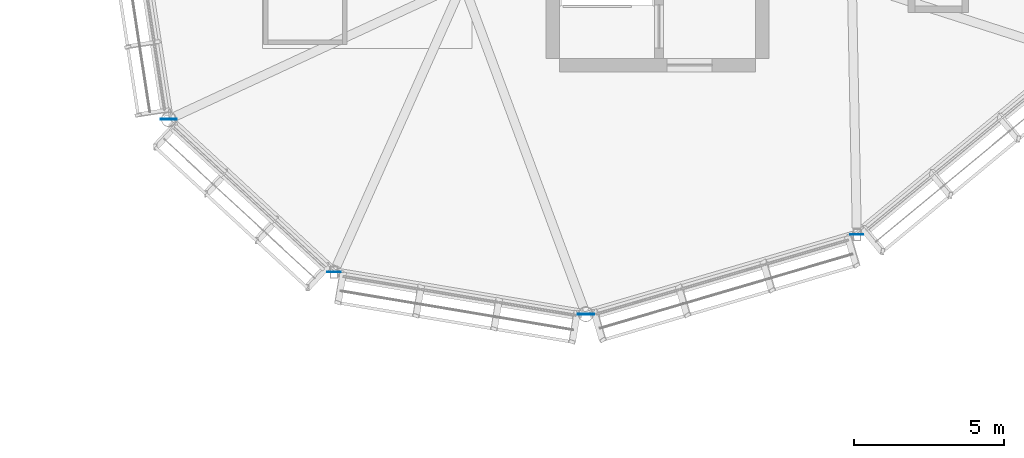
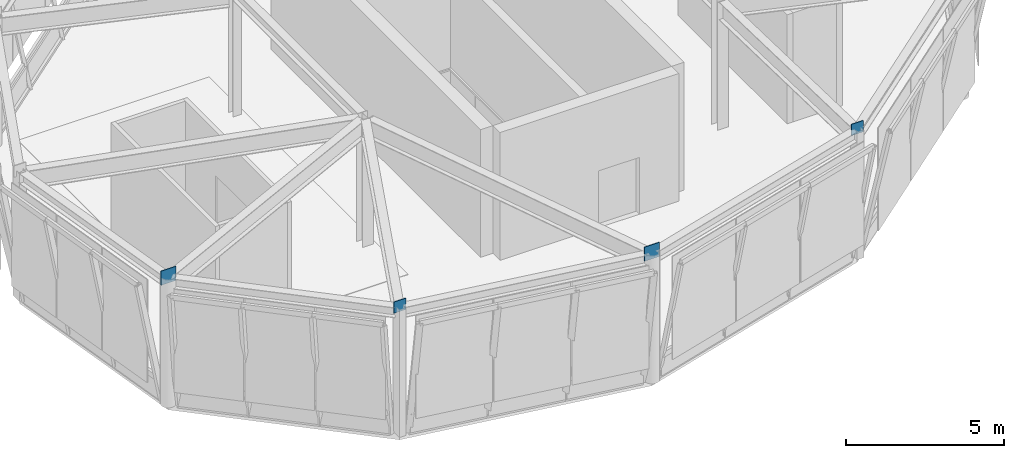
# One storey, part 92 of 113: 4 plates.
"""IFC4 building model written with IfcOpenShell, lengths in metres."""

from ifc_helpers import new_model, si_unit, direction, frame, origin, origin_2d, place, context, subcontext, project, spatial, rectangle, extrude, material, layer, layer_set, type_object, element, save


model = new_model("IFC4")

# Units and contexts
model_context = context("Model", 3, precision=1e-05, world=origin(), true_north=direction((0.0, 1.0)))
body_context = subcontext(model_context, "Body", "Model", "MODEL_VIEW")
ifc_project = project(units=[si_unit("LENGTHUNIT", "METRE"), si_unit("AREAUNIT", "SQUARE_METRE"), si_unit("VOLUMEUNIT", "CUBIC_METRE"), si_unit("PLANEANGLEUNIT", "RADIAN"), si_unit("MASSUNIT", "GRAM", prefix="KILO")], contexts=[model_context])

# Site, building, storey
site_placement = place(None, origin())
site = spatial("IfcSite", under=ifc_project, at=site_placement, CompositionType="ELEMENT")
building_placement = place(site_placement, origin())
building = spatial("IfcBuilding", under=site, at=building_placement, Name="Linyun Crest Stadium", CompositionType="ELEMENT")
storey_placement = place(building_placement, frame((0.0, 0.0, 26.39990234375)))
storey = spatial("IfcBuildingStorey", under=building, at=storey_placement, Name="L06", CompositionType="ELEMENT", Elevation=26.39990234375)

# Plates
ifc_material = material(Name="Steel Q420C", Category="steel")
ifc_layer = layer(ifc_material, 0.02392578125)
ifc_layer_set = layer_set([ifc_layer], Name="Steel Q420C")
plate_type = type_object("IfcPlateType", Name="EP02", PredefinedType="USERDEFINED", material=ifc_layer_set)
plate_1_placement = place(storey_placement, frame((57.1650390625, 75.93994140625, 4.6708984375), z_axis=(0.0, 0.0, 1.0), x_axis=(1.0, 0.0, 0.0)))
element("IfcPlate", 1, at=plate_1_placement, inside=storey, type_object=plate_type, Name="Hollow section cap end plate EP02 433", ObjectType="END PLATE", PredefinedType="USERDEFINED", context=body_context, shape_type="SweptSolid", body=[
    extrude(rectangle(XDim=0.548095703125, YDim=0.02392578125, at=origin_2d()), origin(), (0.0, 0.0, 1.0), 0.548095703125),
])
plate_2_placement = place(storey_placement, frame((62.68701171875, 70.833984375, 4.72509765625), z_axis=(0.0, 0.0, 1.0), x_axis=(1.0, 0.0, 0.0)))
element("IfcPlate", 2, at=plate_2_placement, inside=storey, type_object=plate_type, Name="Hollow section cap end plate EP02 438", ObjectType="END PLATE", PredefinedType="USERDEFINED", context=body_context, shape_type="SweptSolid", body=[
    extrude(rectangle(XDim=0.43994140625, YDim=0.02392578125, at=origin_2d()), origin(), (0.0, 0.0, 1.0), 0.43994140625),
])
plate_3_placement = place(storey_placement, frame((71.10595703125, 69.424072265625, 4.6708984375), z_axis=(0.0, 0.0, 1.0), x_axis=(1.0, 0.0, 0.0)))
element("IfcPlate", 3, at=plate_3_placement, inside=storey, type_object=plate_type, Name="Hollow section cap end plate EP02 443", ObjectType="END PLATE", PredefinedType="USERDEFINED", context=body_context, shape_type="SweptSolid", body=[
    extrude(rectangle(XDim=0.548095703125, YDim=0.02392578125, at=origin_2d()), origin(), (0.0, 0.0, 1.0), 0.548095703125),
])
plate_4_placement = place(storey_placement, frame((80.166015625, 72.0869140625, 4.72509765625), z_axis=(0.0, 0.0, 1.0), x_axis=(1.0, 0.0, 0.0)))
element("IfcPlate", 4, at=plate_4_placement, inside=storey, type_object=plate_type, Name="Hollow section cap end plate EP02 448", ObjectType="END PLATE", PredefinedType="USERDEFINED", context=body_context, shape_type="SweptSolid", body=[
    extrude(rectangle(XDim=0.43994140625, YDim=0.02392578125, at=origin_2d()), origin(), (0.0, 0.0, 1.0), 0.43994140625),
])

save(model, "model.ifc")
